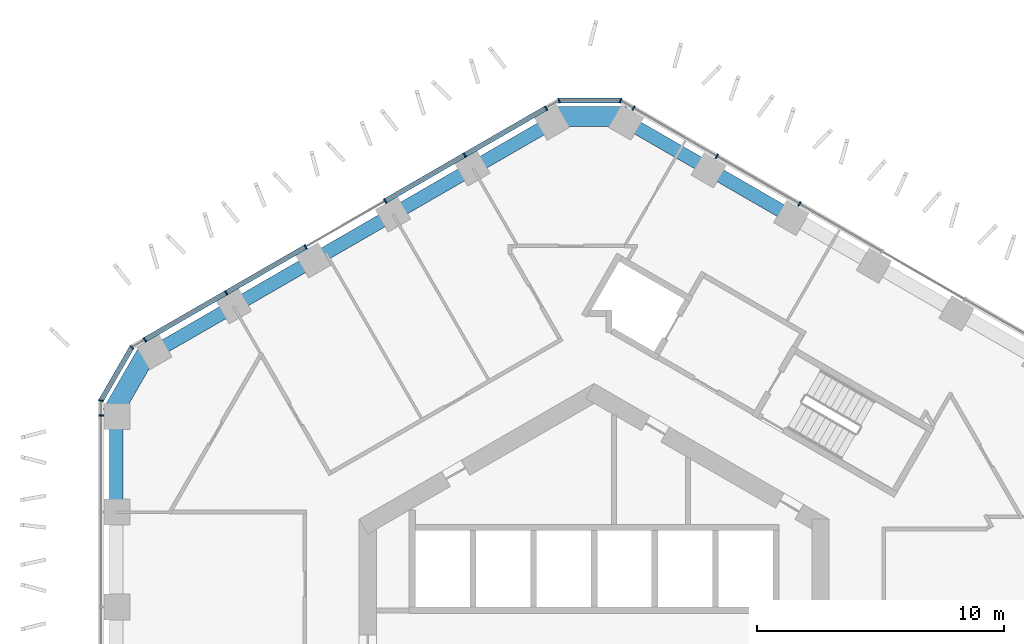
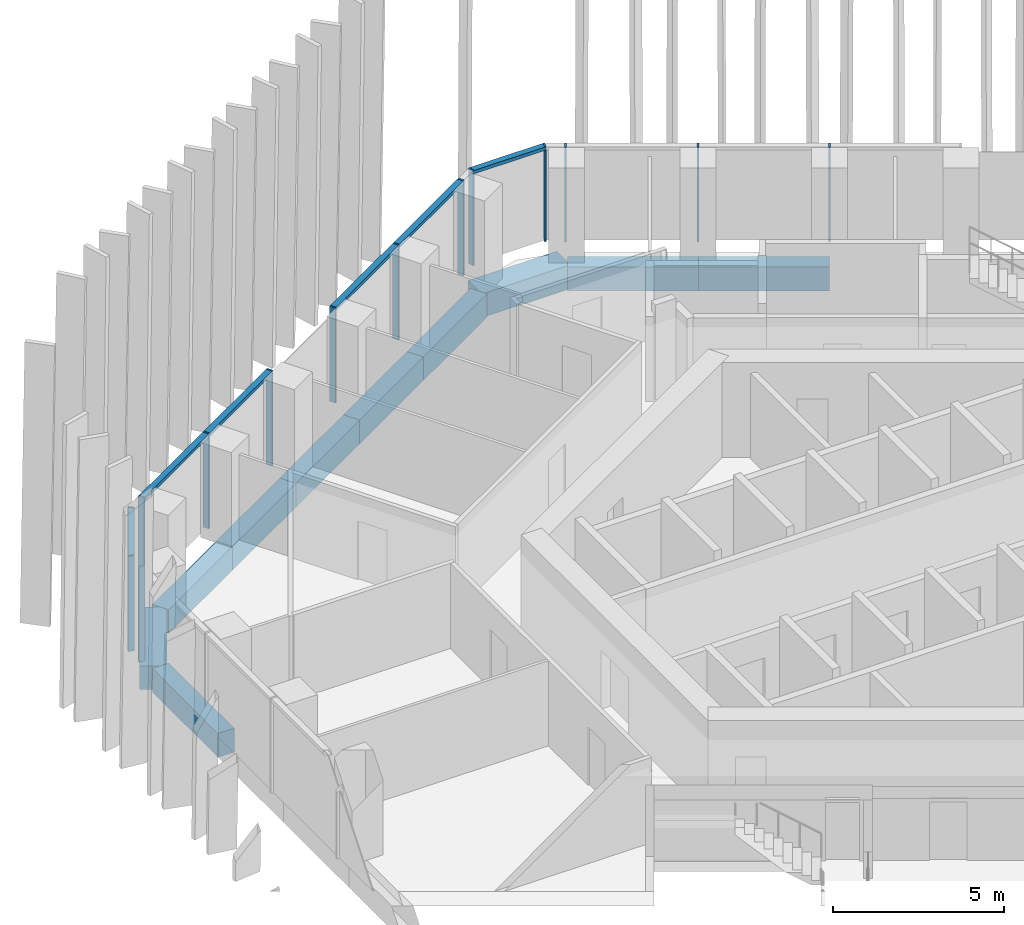
# One storey, part 5 of 19: 18 members, 10 beams, 5 elements without a shape of their own.
"""IFC4 building model written with IfcOpenShell, lengths in metres."""

from ifc_helpers import new_model, si_unit, direction, frame, origin, origin_2d, place, context, subcontext, project, spatial, rectangle, extrude, material, layer, layer_set, material_profile, profile_set, type_object, element, aggregate, save


model = new_model("IFC4")

# Units and contexts
model_context = context("Model", 3, precision=1e-05, world=origin(), true_north=direction((0.0, 1.0)))
body_context = subcontext(model_context, "Body", "Model", "MODEL_VIEW")
ifc_project = project(units=[si_unit("LENGTHUNIT", "METRE"), si_unit("AREAUNIT", "SQUARE_METRE"), si_unit("VOLUMEUNIT", "CUBIC_METRE"), si_unit("PLANEANGLEUNIT", "RADIAN"), si_unit("MASSUNIT", "GRAM", prefix="KILO")], contexts=[model_context])

# Site, building, storey
site_placement = place(None, origin())
site = spatial("IfcSite", under=ifc_project, at=site_placement, CompositionType="ELEMENT")
building_placement = place(site_placement, origin())
building = spatial("IfcBuilding", under=site, at=building_placement, Name="Ayvan Gate Tower", CompositionType="ELEMENT")
storey_placement = place(building_placement, frame((0.0, 0.0, 93.300048828125)))
storey = spatial("IfcBuildingStorey", under=building, at=storey_placement, Name="L24", CompositionType="ELEMENT", Elevation=93.300048828125)

# Beams
ifc_material_1 = material(Name="Concrete C40/50", Category="concrete")
ifc_material_profile_1 = material_profile(ifc_material_1, rectangle(XDim=0.800048828125, YDim=0.85009765625, at=origin_2d()), Name="RC 800x850")
ifc_profile_set_1 = profile_set([ifc_material_profile_1], Name="Concrete C40/50")
beam_type_1 = type_object("IfcBeamType", Name="Corner spandrel beam RC 800x850 C40/50", PredefinedType="BEAM", material=ifc_profile_set_1)
for number, where, z_axis, x_axis, name in (
    (1, (1.33544921875, 21.759033203125, -0.775146484375), (-1.0, 0.0, 0.0), (0.0, -1.0, 0.0), "SB-L24-12"),
    (2, (-18.011474609375, 12.321044921875, -0.775146484375), (-0.499990139034, -0.866031096941, 0.0), (0.866031096941, -0.499990139034, 0.0), "SB-L24-18"),
):
    element("IfcBeam", number, at=place(storey_placement, frame(where, z_axis=z_axis, x_axis=x_axis)), inside=storey, type_object=beam_type_1, Name=name, PredefinedType="BEAM", context=body_context, shape_type="SweptSolid", body=[
        extrude(rectangle(XDim=0.800048828125, YDim=0.85009765625, at=origin_2d()), origin(), (0.0, 0.0, 1.0), 3.0),
    ])
ifc_material_profile_2 = material_profile(ifc_material_1, rectangle(XDim=0.550048828125, YDim=0.85009765625, at=origin_2d()), Name="RC 550x850")
ifc_profile_set_2 = profile_set([ifc_material_profile_2], Name="Concrete C40/50")
beam_type_2 = type_object("IfcBeamType", Name="Spandrel beam RC 550x850 C40/50", PredefinedType="BEAM", material=ifc_profile_set_2)
for number, where, z_axis, x_axis, name in (
    (3, (7.99560546875, 17.69384765625, -0.775146484375), (-0.866026989333, 0.499997253739, 0.0), (-0.499997253739, -0.866026989333, 0.0), "SB-L24-10"),
    (4, (4.66552734375, 19.616455078125, -0.775146484375), (-0.866026989333, 0.499997253739, 0.0), (-0.499997253739, -0.866026989333, 0.0), "SB-L24-11"),
):
    element("IfcBeam", number, at=place(storey_placement, frame(where, z_axis=z_axis, x_axis=x_axis)), inside=storey, type_object=beam_type_2, Name=name, PredefinedType="BEAM", context=body_context, shape_type="SweptSolid", body=[
        extrude(rectangle(XDim=0.550048828125, YDim=0.85009765625, at=origin_2d()), origin(), (0.0, 0.0, 1.0), 3.84521484375),
    ])
for number, where, z_axis, x_axis, name in (
    (5, (-1.66455078125, 21.5390625, -0.775146484375), (-0.866003609386, -0.500037747105, 0.0), (0.500037747105, -0.866003609386, 0.0), "SB-L24-13"),
    (6, (-4.895751953125, 19.67333984375, -0.775146484375), (-0.866048300212, -0.499960340127, 0.0), (0.499960340127, -0.866048300212, 0.0), "SB-L24-14"),
    (7, (-8.127197265625, 17.807861328125, -0.775146484375), (-0.866003609386, -0.500037747105, 0.0), (0.500037747105, -0.866003609386, 0.0), "SB-L24-15"),
    (8, (-11.3583984375, 15.942138671875, -0.775146484375), (-0.866048300212, -0.499960340127, 0.0), (0.499960340127, -0.866048300212, 0.0), "SB-L24-16"),
    (9, (-14.58984375, 14.07666015625, -0.775146484375), (-0.866003609386, -0.500037747105, 0.0), (0.500037747105, -0.866003609386, 0.0), "SB-L24-17"),
):
    element("IfcBeam", number, at=place(storey_placement, frame(where, z_axis=z_axis, x_axis=x_axis)), inside=storey, type_object=beam_type_2, Name=name, PredefinedType="BEAM", context=body_context, shape_type="SweptSolid", body=[
        extrude(rectangle(XDim=0.550048828125, YDim=0.85009765625, at=origin_2d()), origin(), (0.0, 0.0, 1.0), 3.731201171875),
    ])
beam_placement = place(storey_placement, frame((-19.321044921875, 9.613037109375, -0.775146484375), z_axis=(0.0, -1.0, 0.0), x_axis=(1.0, 0.0, 0.0)))
element("IfcBeam", 10, at=beam_placement, inside=storey, type_object=beam_type_2, Name="SB-L24-19", PredefinedType="BEAM", context=body_context, shape_type="SweptSolid", body=[
    extrude(rectangle(XDim=0.550048828125, YDim=0.85009765625, at=origin_2d()), origin(), (0.0, 0.0, 1.0), 3.84521484375),
])

# Curtain wall, members
ifc_material_2 = material(Name="Bronze anodised aluminium", Category="aluminium")
ifc_layer_1 = layer(ifc_material_2, 0.199951171875)
ifc_layer_set_1 = layer_set([ifc_layer_1], Name="Bronze anodised aluminium")
curtain_wall_type_1 = type_object("IfcCurtainWallType", Name="Stick curtain wall CW-1", PredefinedType="NOTDEFINED", material=ifc_layer_set_1)
curtain_wall_1_placement = place(storey_placement, origin())
curtain_wall_1 = element("IfcCurtainWall", 11, at=curtain_wall_1_placement, inside=storey, type_object=curtain_wall_type_1, Name="Stick curtain wall CW-1 L24", PredefinedType="NOTDEFINED")
ifc_material_profile_3 = material_profile(ifc_material_2, rectangle(XDim=0.199951171875, YDim=0.06005859375, at=origin_2d()), Name="Stick curtain wall CW-1 mullion 200 x 60")
ifc_profile_set_3 = profile_set([ifc_material_profile_3], Name="Bronze anodised aluminium")
member_type_1 = type_object("IfcMemberType", Name="Stick curtain wall CW-1 mullion 200 x 60", PredefinedType="MULLION", material=ifc_profile_set_3)
member_1_placement = place(storey_placement, frame((-1.9453125, 22.0986328125, 0.0), z_axis=(0.0, 0.0, 1.0), x_axis=(-0.5, 0.866025403784, 0.0)))
member_1 = element("IfcMember", 12, at=member_1_placement, type_object=member_type_1, Name="CW-1 mullion 1", PredefinedType="MULLION", context=body_context, shape_type="SweptSolid", body=[
    extrude(rectangle(XDim=0.199951171875, YDim=0.06005859375, at=origin_2d()), origin(), (0.0, 0.0, 1.0), 3.39990234375),
])
member_2_placement = place(storey_placement, frame((-5.234375, 20.19970703125, 0.0), z_axis=(0.0, 0.0, 1.0), x_axis=(-0.5, 0.866025403784, 0.0)))
member_2 = element("IfcMember", 13, at=member_2_placement, type_object=member_type_1, Name="CW-1 mullion 2", PredefinedType="MULLION", context=body_context, shape_type="SweptSolid", body=[
    extrude(rectangle(XDim=0.199951171875, YDim=0.06005859375, at=origin_2d()), origin(), (0.0, 0.0, 1.0), 3.39990234375),
])
member_3_placement = place(storey_placement, frame((-8.4482421875, 18.343994140625, 0.0), z_axis=(0.0, 0.0, 1.0), x_axis=(-0.5, 0.866025403784, 0.0)))
member_3 = element("IfcMember", 14, at=member_3_placement, type_object=member_type_1, Name="CW-1 mullion 3", PredefinedType="MULLION", context=body_context, shape_type="SweptSolid", body=[
    extrude(rectangle(XDim=0.199951171875, YDim=0.06005859375, at=origin_2d()), origin(), (0.0, 0.0, 1.0), 3.39990234375),
])
member_4_placement = place(storey_placement, frame((-11.662109375, 16.488525390625, 0.0), z_axis=(0.0, 0.0, 1.0), x_axis=(-0.5, 0.866025403784, 0.0)))
member_4 = element("IfcMember", 15, at=member_4_placement, type_object=member_type_1, Name="CW-1 mullion 4", PredefinedType="MULLION", context=body_context, shape_type="SweptSolid", body=[
    extrude(rectangle(XDim=0.199951171875, YDim=0.06005859375, at=origin_2d()), origin(), (0.0, 0.0, 1.0), 3.39990234375),
])
member_5_placement = place(storey_placement, frame((-14.876708984375, 14.632568359375, 0.0), z_axis=(0.0, 0.0, 1.0), x_axis=(-0.5, 0.866025403784, 0.0)))
member_5 = element("IfcMember", 16, at=member_5_placement, type_object=member_type_1, Name="CW-1 mullion 5", PredefinedType="MULLION", context=body_context, shape_type="SweptSolid", body=[
    extrude(rectangle(XDim=0.199951171875, YDim=0.06005859375, at=origin_2d()), origin(), (0.0, 0.0, 1.0), 3.39990234375),
])
member_6_placement = place(storey_placement, frame((-18.165283203125, 12.73388671875, 0.0), z_axis=(0.0, 0.0, 1.0), x_axis=(-0.5, 0.866025403784, 0.0)))
member_6 = element("IfcMember", 17, at=member_6_placement, type_object=member_type_1, Name="CW-1 mullion 6", PredefinedType="MULLION", context=body_context, shape_type="SweptSolid", body=[
    extrude(rectangle(XDim=0.199951171875, YDim=0.06005859375, at=origin_2d()), origin(), (0.0, 0.0, 1.0), 3.39990234375),
])

# Curtain wall, member
curtain_wall_2_placement = place(storey_placement, origin())
curtain_wall_2 = element("IfcCurtainWall", 18, at=curtain_wall_2_placement, inside=storey, type_object=curtain_wall_type_1, Name="Stick curtain wall CW-1 L24", PredefinedType="NOTDEFINED")
member_7_placement = place(storey_placement, frame((-19.9326171875, 9.673095703125, 0.0), z_axis=(0.0, 0.0, 1.0), x_axis=(-1.0, 0.0, 0.0)))
member_7 = element("IfcMember", 19, at=member_7_placement, type_object=member_type_1, Name="CW-1 mullion 1", PredefinedType="MULLION", context=body_context, shape_type="SweptSolid", body=[
    extrude(rectangle(XDim=0.199951171875, YDim=0.06005859375, at=origin_2d()), origin(), (0.0, 0.0, 1.0), 3.39990234375),
])
aggregate(curtain_wall_2, [member_7])

# Curtain wall, members
curtain_wall_3_placement = place(storey_placement, origin())
curtain_wall_3 = element("IfcCurtainWall", 20, at=curtain_wall_3_placement, inside=storey, type_object=curtain_wall_type_1, Name="Stick curtain wall CW-1 L24", PredefinedType="NOTDEFINED")
member_8_placement = place(storey_placement, frame((8.296630859375, 18.22607421875, 0.0), z_axis=(0.0, 0.0, 1.0), x_axis=(0.5, 0.866025403784, 0.0)))
member_8 = element("IfcMember", 21, at=member_8_placement, type_object=member_type_1, Name="CW-1 mullion 4", PredefinedType="MULLION", context=body_context, shape_type="SweptSolid", body=[
    extrude(rectangle(XDim=0.199951171875, YDim=0.06005859375, at=origin_2d()), origin(), (0.0, 0.0, 1.0), 3.39990234375),
])
member_9_placement = place(storey_placement, frame((4.9580078125, 20.153564453125, 0.0), z_axis=(0.0, 0.0, 1.0), x_axis=(0.5, 0.866025403784, 0.0)))
member_9 = element("IfcMember", 22, at=member_9_placement, type_object=member_type_1, Name="CW-1 mullion 5", PredefinedType="MULLION", context=body_context, shape_type="SweptSolid", body=[
    extrude(rectangle(XDim=0.199951171875, YDim=0.06005859375, at=origin_2d()), origin(), (0.0, 0.0, 1.0), 3.39990234375),
])
member_10_placement = place(storey_placement, frame((1.589111328125, 22.0986328125, 0.0), z_axis=(0.0, 0.0, 1.0), x_axis=(0.5, 0.866025403784, 0.0)))
member_10 = element("IfcMember", 23, at=member_10_placement, type_object=member_type_1, Name="CW-1 mullion 6", PredefinedType="MULLION", context=body_context, shape_type="SweptSolid", body=[
    extrude(rectangle(XDim=0.199951171875, YDim=0.06005859375, at=origin_2d()), origin(), (0.0, 0.0, 1.0), 3.39990234375),
])
aggregate(curtain_wall_3, [member_8, member_9, member_10])

# Member
ifc_material_profile_4 = material_profile(ifc_material_2, rectangle(XDim=0.199951171875, YDim=0.1201171875, at=origin_2d()), Name="Stick curtain wall CW-1 transom 200 x 120")
ifc_profile_set_4 = profile_set([ifc_material_profile_4], Name="Bronze anodised aluminium")
member_type_2 = type_object("IfcMemberType", Name="Stick curtain wall CW-1 transom 200 x 120", PredefinedType="USERDEFINED", material=ifc_profile_set_4)
member_11_placement = place(storey_placement, frame((-1.9453125, 22.0986328125, 3.33984375), z_axis=(-0.866026854616, -0.499997487077, 0.0), x_axis=(0.499997487077, -0.866026854616, 0.0)))
member_11 = element("IfcMember", 24, at=member_11_placement, type_object=member_type_2, Name="CW-1 transom 1", ObjectType="TRANSOM", PredefinedType="USERDEFINED", context=body_context, shape_type="SweptSolid", body=[
    extrude(rectangle(XDim=0.199951171875, YDim=0.1201171875, at=origin_2d()), origin(), (0.0, 0.0, 1.0), 7.47900390625),
])

member_12_placement = place(storey_placement, frame((-11.68798828125, 16.4736328125, 3.33984375), z_axis=(-0.866020880647, -0.500007834222, 0.0), x_axis=(0.500007834222, -0.866020880647, 0.0)))
member_12 = element("IfcMember", 25, at=member_12_placement, type_object=member_type_2, Name="CW-1 transom 2", ObjectType="TRANSOM", PredefinedType="USERDEFINED", context=body_context, shape_type="SweptSolid", body=[
    extrude(rectangle(XDim=0.199951171875, YDim=0.1201171875, at=origin_2d()), origin(), (0.0, 0.0, 1.0), 7.4794921875),
])

aggregate(curtain_wall_1, [member_1, member_2, member_3, member_4, member_5, member_6, member_11, member_12])

# Curtain wall, members
ifc_layer_2 = layer(ifc_material_2, 0.199951171875)
ifc_layer_set_2 = layer_set([ifc_layer_2], Name="Bronze anodised aluminium")
curtain_wall_type_2 = type_object("IfcCurtainWallType", Name="Stick curtain wall CW-6", PredefinedType="NOTDEFINED", material=ifc_layer_set_2)
curtain_wall_4_placement = place(storey_placement, origin())
curtain_wall_4 = element("IfcCurtainWall", 26, at=curtain_wall_4_placement, inside=storey, type_object=curtain_wall_type_2, Name="Stick curtain wall CW-6 L24", PredefinedType="NOTDEFINED")
ifc_material_profile_5 = material_profile(ifc_material_2, rectangle(XDim=0.199951171875, YDim=0.050048828125, at=origin_2d()), Name="Stick curtain wall CW-6 mullion 200 x 50")
ifc_profile_set_5 = profile_set([ifc_material_profile_5], Name="Bronze anodised aluminium")
member_type_3 = type_object("IfcMemberType", Name="Stick curtain wall CW-6 mullion 200 x 50", PredefinedType="MULLION", material=ifc_profile_set_5)
member_13_placement = place(storey_placement, frame((-18.689208984375, 12.431396484375, 0.0), z_axis=(0.0, 0.0, 1.0), x_axis=(-0.707106781187, 0.707106781187, 0.0)))
member_13 = element("IfcMember", 27, at=member_13_placement, type_object=member_type_3, Name="CW-6 mullion 2", PredefinedType="MULLION", context=body_context, shape_type="SweptSolid", body=[
    extrude(rectangle(XDim=0.199951171875, YDim=0.050048828125, at=origin_2d()), origin(), (0.0, 0.0, 1.0), 3.39990234375),
])
member_14_placement = place(storey_placement, frame((-19.9326171875, 10.278076171875, 0.0), z_axis=(0.0, 0.0, 1.0), x_axis=(-0.965925826289, 0.258819045103, 0.0)))
member_14 = element("IfcMember", 28, at=member_14_placement, type_object=member_type_3, Name="CW-6 mullion 3", PredefinedType="MULLION", context=body_context, shape_type="SweptSolid", body=[
    extrude(rectangle(XDim=0.199951171875, YDim=0.050048828125, at=origin_2d()), origin(), (0.0, 0.0, 1.0), 3.39990234375),
])

curtain_wall_5_placement = place(storey_placement, origin())
curtain_wall_5 = element("IfcCurtainWall", 29, at=curtain_wall_5_placement, inside=storey, type_object=curtain_wall_type_2, Name="Stick curtain wall CW-6 L24", PredefinedType="NOTDEFINED")
member_15_placement = place(storey_placement, frame((1.065185546875, 22.401123046875, 0.0), z_axis=(0.0, 0.0, 1.0), x_axis=(0.258819045103, 0.965925826289, 0.0)))
member_15 = element("IfcMember", 30, at=member_15_placement, type_object=member_type_3, Name="CW-6 mullion 2", PredefinedType="MULLION", context=body_context, shape_type="SweptSolid", body=[
    extrude(rectangle(XDim=0.199951171875, YDim=0.050048828125, at=origin_2d()), origin(), (0.0, 0.0, 1.0), 3.39990234375),
])
member_16_placement = place(storey_placement, frame((-1.42138671875, 22.401123046875, 0.0), z_axis=(0.0, 0.0, 1.0), x_axis=(-0.258819045103, 0.965925826289, 0.0)))
member_16 = element("IfcMember", 31, at=member_16_placement, type_object=member_type_3, Name="CW-6 mullion 3", PredefinedType="MULLION", context=body_context, shape_type="SweptSolid", body=[
    extrude(rectangle(XDim=0.199951171875, YDim=0.050048828125, at=origin_2d()), origin(), (0.0, 0.0, 1.0), 3.39990234375),
])

# Member
ifc_material_profile_6 = material_profile(ifc_material_2, rectangle(XDim=0.199951171875, YDim=0.1201171875, at=origin_2d()), Name="Stick curtain wall CW-6 transom 200 x 120")
ifc_profile_set_6 = profile_set([ifc_material_profile_6], Name="Bronze anodised aluminium")
member_type_4 = type_object("IfcMemberType", Name="Stick curtain wall CW-6 transom 200 x 120", PredefinedType="USERDEFINED", material=ifc_profile_set_6)
member_17_placement = place(storey_placement, frame((-18.70166015625, 12.409912109375, 3.33984375), z_axis=(-0.499953731509, -0.866052115263, 0.0), x_axis=(0.866052115263, -0.499953731509, 0.0)))
member_17 = element("IfcMember", 32, at=member_17_placement, type_object=member_type_4, Name="CW-6 transom 2", ObjectType="TRANSOM", PredefinedType="USERDEFINED", context=body_context, shape_type="SweptSolid", body=[
    extrude(rectangle(XDim=0.199951171875, YDim=0.1201171875, at=origin_2d()), origin(), (0.0, 0.0, 1.0), 2.436767578125),
])

aggregate(curtain_wall_4, [member_13, member_14, member_17])

member_18_placement = place(storey_placement, frame((1.040283203125, 22.401123046875, 3.33984375), z_axis=(-1.0, 0.0, 0.0), x_axis=(0.0, -1.0, 0.0)))
member_18 = element("IfcMember", 33, at=member_18_placement, type_object=member_type_4, Name="CW-6 transom 2", ObjectType="TRANSOM", PredefinedType="USERDEFINED", context=body_context, shape_type="SweptSolid", body=[
    extrude(rectangle(XDim=0.199951171875, YDim=0.1201171875, at=origin_2d()), origin(), (0.0, 0.0, 1.0), 2.4365234375),
])

aggregate(curtain_wall_5, [member_15, member_16, member_18])

save(model, "model.ifc")
